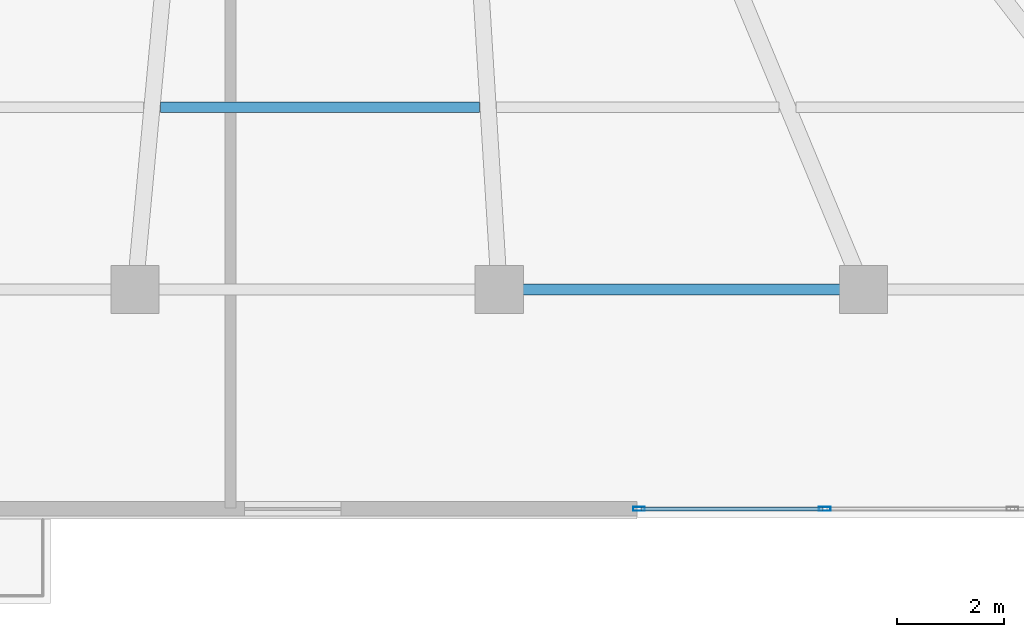
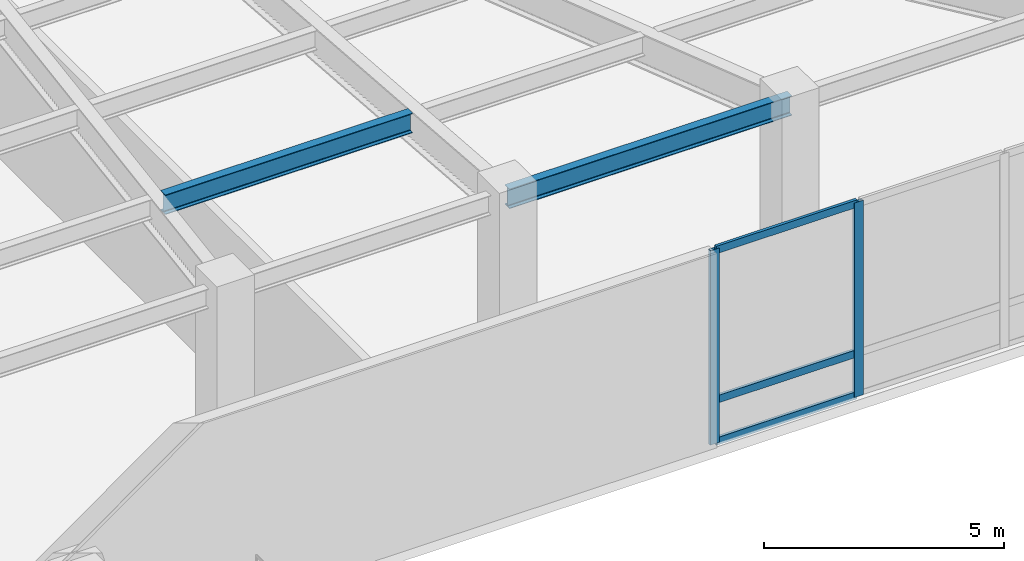
# One storey, part 4 of 15: 5 members, 2 beams, 1 element without a shape of its own.
"""IFC4 building model written with IfcOpenShell, lengths in metres."""

from ifc_helpers import new_model, si_unit, direction, frame, origin, origin_2d, place, context, subcontext, project, spatial, hollow_rectangle, i_section, extrude, material, material_profile, profile_set, type_object, element, aggregate, save


model = new_model("IFC4")

# Units and contexts
model_context = context("Model", 3, precision=1e-05, world=origin(), true_north=direction((0.0, 1.0)))
body_context = subcontext(model_context, "Body", "Model", "MODEL_VIEW")
ifc_project = project(units=[si_unit("LENGTHUNIT", "METRE"), si_unit("AREAUNIT", "SQUARE_METRE"), si_unit("VOLUMEUNIT", "CUBIC_METRE"), si_unit("PLANEANGLEUNIT", "RADIAN"), si_unit("MASSUNIT", "GRAM", prefix="KILO")], contexts=[model_context])

# Site, building, storey
site_placement = place(None, origin())
site = spatial("IfcSite", under=ifc_project, at=site_placement, CompositionType="ELEMENT")
building_placement = place(site_placement, origin())
building = spatial("IfcBuilding", under=site, at=building_placement, Name="Yelkora Congress Tower", CompositionType="ELEMENT")
storey_placement = place(building_placement, frame((0.0, 0.0, 10.39990234375)))
storey = spatial("IfcBuildingStorey", under=building, at=storey_placement, Name="L02", CompositionType="ELEMENT", Elevation=10.39990234375)

# Beams
ifc_material_1 = material(Name="Steel S355J2", Category="steel")
ifc_material_profile_1 = material_profile(ifc_material_1, i_section(OverallWidth=0.199951171875, OverallDepth=0.5, WebThickness=0.01025390625, FlangeThickness=0.01611328125, FilletRadius=0.02099609375, at=origin_2d()), Name="IPE 500")
ifc_profile_set_1 = profile_set([ifc_material_profile_1], Name="Steel S355J2")
beam_type_1 = type_object("IfcBeamType", Name="BM-JOIST-IPE500", PredefinedType="JOIST", material=ifc_profile_set_1)
beam_1_placement = place(storey_placement, frame((52.4560546875, 9.449951171875, 4.690185546875), z_axis=(1.0, 0.0, 0.0), x_axis=(0.0, 1.0, 0.0)))
element("IfcBeam", 1, at=beam_1_placement, inside=storey, type_object=beam_type_1, Name="L02 Composite Floor Joist 8", PredefinedType="JOIST", context=body_context, shape_type="SweptSolid", body=[
    extrude(i_section(OverallWidth=0.199951171875, OverallDepth=0.5, WebThickness=0.01025390625, FlangeThickness=0.01611328125, FilletRadius=0.02099609375, at=origin_2d()), origin(), (0.0, 0.0, 1.0), 5.9462890625),
])
ifc_material_profile_2 = material_profile(ifc_material_1, i_section(OverallWidth=0.199951171875, OverallDepth=0.5, WebThickness=0.01025390625, FlangeThickness=0.01611328125, FilletRadius=0.02099609375, at=origin_2d()), Name="IPE 500")
ifc_profile_set_2 = profile_set([ifc_material_profile_2], Name="Steel S355J2")
beam_type_2 = type_object("IfcBeamType", Name="BM-SPAN-IPE500B", PredefinedType="BEAM", material=ifc_profile_set_2)
beam_2_placement = place(storey_placement, frame((58.77001953125, 6.050048828125, 4.690185546875), z_axis=(1.0, 0.0, 0.0), x_axis=(0.0, 1.0, 0.0)))
element("IfcBeam", 2, at=beam_2_placement, inside=storey, type_object=beam_type_2, Name="L02 Perimeter Beam 10", PredefinedType="BEAM", context=body_context, shape_type="SweptSolid", body=[
    extrude(i_section(OverallWidth=0.199951171875, OverallDepth=0.5, WebThickness=0.01025390625, FlangeThickness=0.01611328125, FilletRadius=0.02099609375, at=origin_2d()), origin(), (0.0, 0.0, 1.0), 6.7900390625),
])

# Curtain wall, members
ifc_material_2 = material(Name="Anodised aluminium and insulated glass", Category="aluminium")
curtain_wall_type = type_object("IfcCurtainWallType", Name="CW-SYS-POD", PredefinedType="NOTDEFINED", material=ifc_material_2)
curtain_wall_placement = place(storey_placement, origin())
curtain_wall = element("IfcCurtainWall", 3, at=curtain_wall_placement, inside=storey, type_object=curtain_wall_type, Name="L02 Podium Curtain Wall East", PredefinedType="NOTDEFINED")
ifc_material_3 = material(Name="Anodised aluminium 6063-T6", Category="aluminium")
ifc_material_profile_3 = material_profile(ifc_material_3, hollow_rectangle(XDim=0.074951171875, YDim=0.219970703125, WallThickness=0.0048828125, at=origin_2d()), Name="ALU 75x220x5")
ifc_profile_set_3 = profile_set([ifc_material_profile_3], Name="Anodised aluminium 6063-T6")
member_type_1 = type_object("IfcMemberType", Name="MEM-ML-POD", PredefinedType="MULLION", material=ifc_profile_set_3)
member_1_placement = place(storey_placement, frame((61.37744140625, 1.9599609375, 0.0), z_axis=(0.0, 0.0, 1.0), x_axis=(0.0, 1.0, 0.0)))
member_1 = element("IfcMember", 4, at=member_1_placement, type_object=member_type_1, Name="CW-POD mullion 1", PredefinedType="MULLION", context=body_context, shape_type="SweptSolid", body=[
    extrude(hollow_rectangle(XDim=0.074951171875, YDim=0.219970703125, WallThickness=0.0048828125, at=origin_2d()), origin(), (0.0, 0.0, 1.0), 4.940185546875),
])
member_2_placement = place(storey_placement, frame((64.840087890625, 1.9599609375, 0.0), z_axis=(0.0, 0.0, 1.0), x_axis=(0.0, 1.0, 0.0)))
member_2 = element("IfcMember", 5, at=member_2_placement, type_object=member_type_1, Name="CW-POD mullion 2", PredefinedType="MULLION", context=body_context, shape_type="SweptSolid", body=[
    extrude(hollow_rectangle(XDim=0.074951171875, YDim=0.219970703125, WallThickness=0.0048828125, at=origin_2d()), origin(), (0.0, 0.0, 1.0), 4.940185546875),
])
ifc_material_profile_4 = material_profile(ifc_material_3, hollow_rectangle(XDim=0.070068359375, YDim=0.18994140625, WallThickness=0.00390625, at=origin_2d()), Name="ALU 70x190x4")
ifc_profile_set_4 = profile_set([ifc_material_profile_4], Name="Anodised aluminium 6063-T6")
member_type_2 = type_object("IfcMemberType", Name="MEM-TR-POD", PredefinedType="USERDEFINED", material=ifc_profile_set_4)
member_3_placement = place(storey_placement, frame((61.4150390625, 1.9599609375, 0.03515625), z_axis=(1.0, 0.0, 0.0), x_axis=(0.0, 1.0, 0.0)))
member_3 = element("IfcMember", 6, at=member_3_placement, type_object=member_type_2, Name="CW-POD transom 1.1", ObjectType="TRANSOM", PredefinedType="USERDEFINED", context=body_context, shape_type="SweptSolid", body=[
    extrude(hollow_rectangle(XDim=0.070068359375, YDim=0.18994140625, WallThickness=0.00390625, at=origin_2d()), origin(), (0.0, 0.0, 1.0), 3.387451171875),
])
member_4_placement = place(storey_placement, frame((61.4150390625, 1.9599609375, 1.10009765625), z_axis=(1.0, 0.0, 0.0), x_axis=(0.0, 1.0, 0.0)))
member_4 = element("IfcMember", 7, at=member_4_placement, type_object=member_type_2, Name="CW-POD transom 1.2", ObjectType="TRANSOM", PredefinedType="USERDEFINED", context=body_context, shape_type="SweptSolid", body=[
    extrude(hollow_rectangle(XDim=0.070068359375, YDim=0.18994140625, WallThickness=0.00390625, at=origin_2d()), origin(), (0.0, 0.0, 1.0), 3.387451171875),
])
member_5_placement = place(storey_placement, frame((61.4150390625, 1.9599609375, 4.905029296875), z_axis=(1.0, 0.0, 0.0), x_axis=(0.0, 1.0, 0.0)))
member_5 = element("IfcMember", 8, at=member_5_placement, type_object=member_type_2, Name="CW-POD transom 1.3", ObjectType="TRANSOM", PredefinedType="USERDEFINED", context=body_context, shape_type="SweptSolid", body=[
    extrude(hollow_rectangle(XDim=0.070068359375, YDim=0.18994140625, WallThickness=0.00390625, at=origin_2d()), origin(), (0.0, 0.0, 1.0), 3.387451171875),
])
aggregate(curtain_wall, [member_1, member_2, member_3, member_4, member_5])

save(model, "model.ifc")
